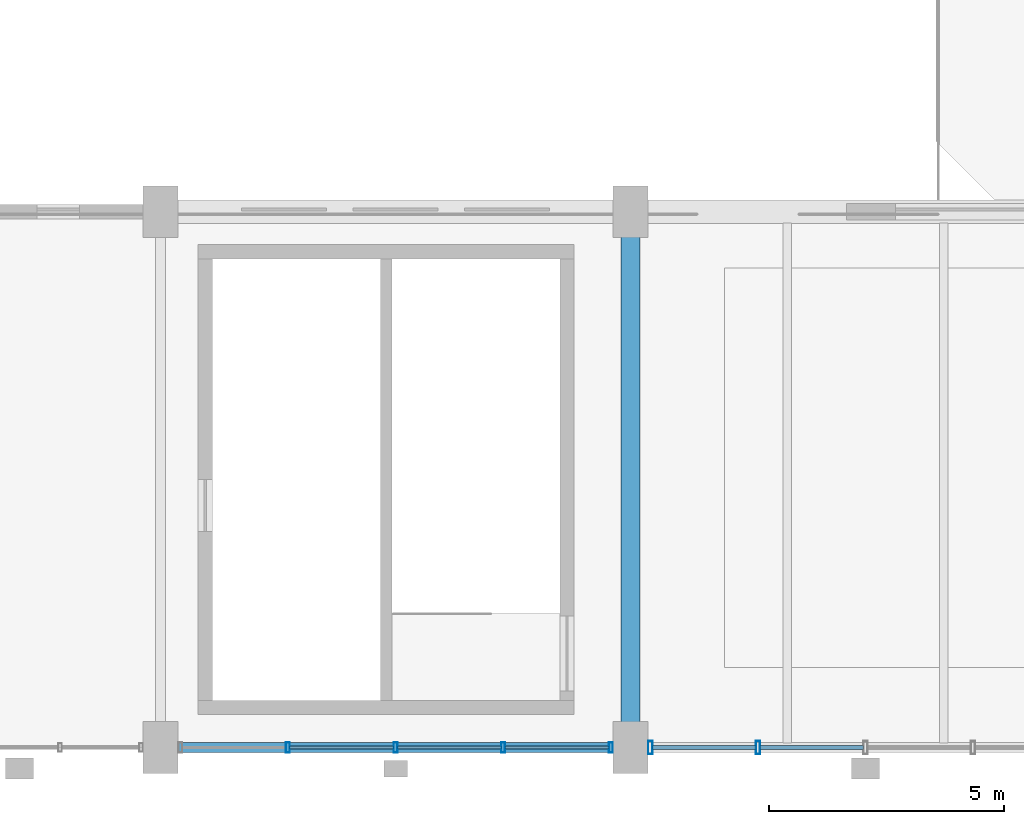
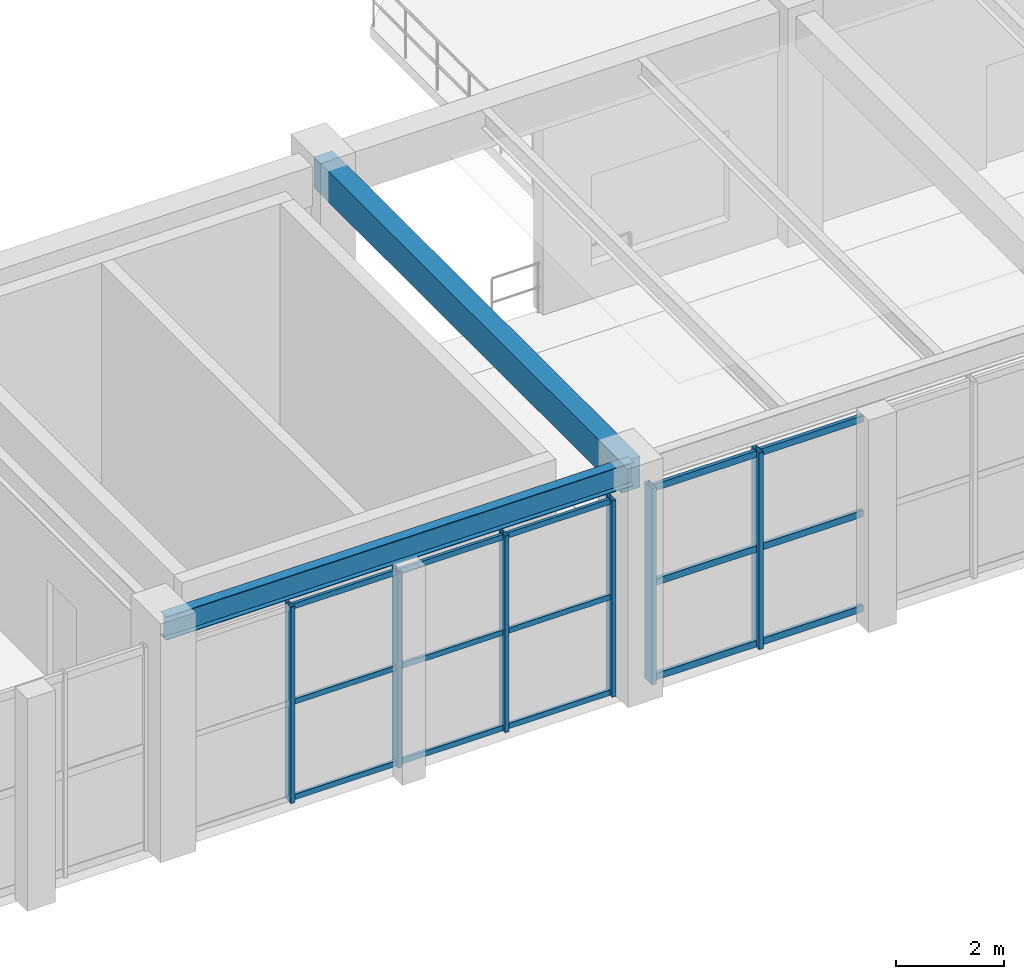
# One storey, part 20 of 106: 21 members, 2 beams, 2 elements without a shape of their own.
"""IFC4 building model written with IfcOpenShell, lengths in metres."""

import ifcopenshell
import ifcopenshell.guid

model = None  # the IFC model being written
_history = None  # IfcOwnerHistory: only IFC2X3 demands one
_inside = {}  # id of a spatial element -> (the spatial element, [elements in it])
_under = {}  # id of a project, library or spatial element -> (it, [spatial elements below it])
_declared = {}  # id of a project -> (the project, [libraries it declares])
_typed = {}  # id of a type object -> (the type object, [elements of that type])
_made_of = {}  # id of a material, layer set ... -> (it, [elements and type objects made of it])


def new_model(schema):
    """Start an empty IFC model of exactly this schema.

    Asked for "IFC4X3", IfcOpenShell would pick the latest addendum, in which some entities
    have other attributes; the version numbers below select the first issue.
    IFC2X3 requires an IfcOwnerHistory on every rooted entity: one is made here for all.
    """
    global model, _history
    if schema == "IFC4X3":
        model = ifcopenshell.file(schema_version=(4, 3, 0, 0))
    else:
        model = ifcopenshell.file(schema=schema)
    _inside.clear()
    _under.clear()
    _declared.clear()
    _typed.clear()
    _made_of.clear()
    _history = None
    if model.schema == "IFC2X3":
        org = make("IfcOrganization", Name="unknown")
        user = make(
            "IfcPersonAndOrganization",
            ThePerson=make("IfcPerson", FamilyName="unknown"),
            TheOrganization=org,
        )
        app = make(
            "IfcApplication",
            ApplicationDeveloper=org,
            Version="unknown",
            ApplicationFullName="unknown",
            ApplicationIdentifier="unknown",
        )
        _history = make(
            "IfcOwnerHistory",
            OwningUser=user,
            OwningApplication=app,
            ChangeAction="ADDED",
            CreationDate=0,
        )
    return model


def make(cls, **values):
    """One entity of the class cls with the attributes given. An attribute that is None is left unset."""
    return model.create_entity(
        cls, **{name: value for name, value in values.items() if value is not None}
    )


def rooted(cls, **values):
    """An entity with a GlobalId (a new one), such as an element, a storey or a relation."""
    return make(cls, GlobalId=ifcopenshell.guid.new(), OwnerHistory=_history, **values)


def si_unit(unit_type, name, prefix=None):
    """IfcSIUnit, for example si_unit("LENGTHUNIT", "METRE", prefix="MILLI")."""
    return make("IfcSIUnit", UnitType=unit_type, Prefix=prefix, Name=name)


def assignment(units):
    """IfcUnitAssignment: the units of a project."""
    return None if units is None else make("IfcUnitAssignment", Units=units)


def point(xyz):
    """IfcCartesianPoint."""
    return None if xyz is None else make("IfcCartesianPoint", Coordinates=xyz)


def direction(xyz):
    """IfcDirection."""
    return None if xyz is None else make("IfcDirection", DirectionRatios=xyz)


def frame(location, z_axis=None, x_axis=None):
    """IfcAxis2Placement3D, a coordinate frame: its origin and axes. An axis left out is left unset."""
    return make(
        "IfcAxis2Placement3D",
        Location=point(location),
        Axis=direction(z_axis),
        RefDirection=direction(x_axis),
    )


def frame_2d(location, x_axis=None):
    """IfcAxis2Placement2D, a coordinate frame in the plane: its origin and x axis."""
    return make(
        "IfcAxis2Placement2D", Location=point(location), RefDirection=direction(x_axis)
    )


def origin():
    """The frame at (0, 0, 0) with its axes left unset."""
    return frame((0.0, 0.0, 0.0))


def origin_2d():
    """The frame at (0, 0) in the plane with its x axis left unset."""
    return frame_2d((0.0, 0.0))


def place(relative_to, where):
    """IfcLocalPlacement: puts the frame where relative to a parent placement (None: the world)."""
    return make(
        "IfcLocalPlacement", PlacementRelTo=relative_to, RelativePlacement=where
    )


def context(
    kind, dimensions, precision=None, world=None, true_north=None, identifier=None
):
    """IfcGeometricRepresentationContext, for example the 3D "Model" context."""
    return make(
        "IfcGeometricRepresentationContext",
        ContextIdentifier=identifier,
        ContextType=kind,
        CoordinateSpaceDimension=dimensions,
        Precision=precision,
        WorldCoordinateSystem=world,
        TrueNorth=true_north,
    )


def subcontext(parent, identifier, kind, view, scale=None):
    """IfcGeometricRepresentationSubContext, for example "Body" below "Model"."""
    return make(
        "IfcGeometricRepresentationSubContext",
        ContextIdentifier=identifier,
        ContextType=kind,
        ParentContext=parent,
        TargetScale=scale,
        TargetView=view,
    )


def project(units=None, contexts=None):
    """IfcProject with its units and contexts."""
    return rooted(
        "IfcProject",
        Name="project",
        RepresentationContexts=contexts,
        UnitsInContext=assignment(units),
    )


def spatial(cls, under=None, at=None, **own):
    """A site, building, storey or space (cls), placed at a placement, below another one or the project."""
    s = rooted(cls, ObjectPlacement=at, **own)
    if under is not None:
        _under.setdefault(under.id(), (under, []))[1].append(s)
    return s


def profile(cls, at=None, kind="AREA", **sizes):
    """A parametric profile (cls). Its sizes go by their IFC names, for example OverallWidth=200.0."""
    return make(cls, ProfileType=kind, Position=at, **sizes)


def rectangle(**sizes):
    """IfcRectangleProfileDef."""
    return profile("IfcRectangleProfileDef", **sizes)


def hollow_rectangle(**sizes):
    """IfcRectangleHollowProfileDef."""
    return profile("IfcRectangleHollowProfileDef", **sizes)


def i_section(**sizes):
    """IfcIShapeProfileDef."""
    return profile("IfcIShapeProfileDef", **sizes)


def extrude(swept, where, along, depth):
    """IfcExtrudedAreaSolid: the profile swept, set in the frame where, extruded along a direction by depth."""
    return make(
        "IfcExtrudedAreaSolid",
        SweptArea=swept,
        Position=where,
        ExtrudedDirection=direction(along),
        Depth=depth,
    )


def shape(context_of_items, identifier, shape_type, items):
    """IfcShapeRepresentation: the items that make up one representation, for example the "Body"."""
    return make(
        "IfcShapeRepresentation",
        ContextOfItems=context_of_items,
        RepresentationIdentifier=identifier,
        RepresentationType=shape_type,
        Items=items,
    )


def material(Name=None, Category=None):
    """IfcMaterial."""
    return make("IfcMaterial", Name=Name, Category=Category)


def layer(
    of_material, thickness, ventilated=None, Name=None, Category=None, Priority=None
):
    """IfcMaterialLayer: one layer of a wall or slab, of a material (None: an air gap)."""
    return make(
        "IfcMaterialLayer",
        Material=of_material,
        LayerThickness=thickness,
        IsVentilated=ventilated,
        Name=Name,
        Category=Category,
        Priority=Priority,
    )


def layer_set(layers, Name=None):
    """IfcMaterialLayerSet."""
    return make("IfcMaterialLayerSet", MaterialLayers=layers, LayerSetName=Name)


def material_profile(
    of_material, cross_section, Name=None, Category=None, Priority=None
):
    """IfcMaterialProfile: a cross section and its material."""
    return make(
        "IfcMaterialProfile",
        Name=Name,
        Material=of_material,
        Profile=cross_section,
        Priority=Priority,
        Category=Category,
    )


def profile_set(profiles, Name=None, composite=None):
    """IfcMaterialProfileSet."""
    return make(
        "IfcMaterialProfileSet",
        Name=Name,
        MaterialProfiles=profiles,
        CompositeProfile=composite,
    )


def made_of(thing, what):
    """Note that an element or type object is made of a material, layer set ...; save() writes the relation."""
    if what is not None:
        _made_of.setdefault(what.id(), (what, []))[1].append(thing)
    return thing


def type_object(cls, material=None, **own):
    """A type object (cls), such as IfcWallType, which elements share."""
    return made_of(rooted(cls, **own), material)


def element(
    cls,
    number,
    at=None,
    inside=None,
    cuts=None,
    type_object=None,
    material=None,
    context=None,
    identifier="Body",
    shape_type=None,
    held_by="IfcProductDefinitionShape",
    body=None,
    shapes=None,
    **own,
):
    """One element of the class cls, such as IfcWall. Its Tag is "e" and its number.

    at: its placement. inside: the storey or other place that contains it. cuts: it is an
    opening in that element (IfcRelVoidsElement). A single representation is given by context,
    identifier, shape_type and body (its items); several are given by shapes. held_by: the class
    of the entity that holds the representations. save() writes the other relations.
    """
    e = rooted(cls, Tag="e%d" % number, ObjectPlacement=at, **own)
    if body is not None:
        shapes = [shape(context, identifier, shape_type, body)]
    if shapes is not None:
        e.Representation = make(held_by, Representations=shapes)
    if inside is not None:
        _inside.setdefault(inside.id(), (inside, []))[1].append(e)
    if cuts is not None:
        rooted(
            "IfcRelVoidsElement", RelatingBuildingElement=cuts, RelatedOpeningElement=e
        )
    if type_object is not None:
        _typed.setdefault(type_object.id(), (type_object, []))[1].append(e)
    return made_of(e, material)


def aggregate(whole, parts):
    """IfcRelAggregates: a whole, such as a stair, and the parts it consists of."""
    return rooted("IfcRelAggregates", RelatingObject=whole, RelatedObjects=parts)


def save(model, path):
    """Write the relations noted so far, then the file.

    IfcRelAggregates (storeys below a building ...), IfcRelContainedInSpatialStructure (elements
    in a storey), IfcRelDefinesByType, IfcRelAssociatesMaterial and IfcRelDeclares: one each for
    every whole, place, type object, material and project.
    """
    for whole, parts in _under.values():
        aggregate(whole, parts)
    for where, things in _inside.values():
        rooted(
            "IfcRelContainedInSpatialStructure",
            RelatedElements=things,
            RelatingStructure=where,
        )
    for kind, things in _typed.values():
        rooted("IfcRelDefinesByType", RelatedObjects=things, RelatingType=kind)
    for what, things in _made_of.values():
        rooted("IfcRelAssociatesMaterial", RelatedObjects=things, RelatingMaterial=what)
    for by, libraries in _declared.values():
        rooted("IfcRelDeclares", RelatingContext=by, RelatedDefinitions=libraries)
    model.write(path)


model = new_model("IFC4")

# Units and contexts
model_context = context("Model", 3, precision=1e-05, world=origin(), true_north=direction((0.0, 1.0)))
body_context = subcontext(model_context, "Body", "Model", "MODEL_VIEW")
ifc_project = project(units=[si_unit("LENGTHUNIT", "METRE"), si_unit("AREAUNIT", "SQUARE_METRE"), si_unit("VOLUMEUNIT", "CUBIC_METRE"), si_unit("PLANEANGLEUNIT", "RADIAN"), si_unit("MASSUNIT", "GRAM", prefix="KILO"), si_unit("POWERUNIT", "WATT"), si_unit("THERMODYNAMICTEMPERATUREUNIT", "KELVIN")], contexts=[model_context])

# Site, building, storey
site_placement = place(None, origin())
site = spatial("IfcSite", under=ifc_project, at=site_placement, CompositionType="ELEMENT")
building_placement = place(site_placement, origin())
building = spatial("IfcBuilding", under=site, at=building_placement, Name="Kelmbourne Parkland Aquatics Centre", CompositionType="ELEMENT")
storey_placement = place(building_placement, frame((0.0, 0.0, 5.39990234375)))
storey = spatial("IfcBuildingStorey", under=building, at=storey_placement, Name="L01", CompositionType="ELEMENT", Elevation=5.39990234375)

# Beams
ifc_material_1 = material(Name="Concrete C40/50", Category="concrete")
ifc_material_profile_1 = material_profile(ifc_material_1, rectangle(XDim=0.39990234375, YDim=0.699951171875, at=origin_2d()), Name="RC 400x700")
ifc_profile_set_1 = profile_set([ifc_material_profile_1], Name="Concrete C40/50")
beam_type_1 = type_object("IfcBeamType", Name="BM-G05", PredefinedType="BEAM", material=ifc_profile_set_1)
beam_1_placement = place(storey_placement, frame((56.0, 0.800048828125, 4.81005859375), z_axis=(0.0, 1.0, 0.0), x_axis=(-1.0, 0.0, 0.0)))
element("IfcBeam", 1, at=beam_1_placement, inside=storey, type_object=beam_type_1, Name="Primary girder 01-03 Grid H (L02_FOY)", PredefinedType="BEAM", context=body_context, shape_type="SweptSolid", body=[
    extrude(rectangle(XDim=0.39990234375, YDim=0.699951171875, at=origin_2d()), origin(), (0.0, 0.0, 1.0), 11.39990234375),
])
ifc_material_2 = material(Name="Structural steel AS/NZS 3679.1 Grade 300", Category="steel")
ifc_material_profile_2 = material_profile(ifc_material_2, i_section(OverallWidth=0.208984375, OverallDepth=0.532958984375, WebThickness=0.01025390625, FlangeThickness=0.015625, at=origin_2d()), Name="530UB92.4")
ifc_profile_set_2 = profile_set([ifc_material_profile_2], Name="Structural steel AS/NZS 3679.1 Grade 300")
beam_type_2 = type_object("IfcBeamType", Name="BM-SP02", PredefinedType="SPANDREL", material=ifc_profile_set_2)
beam_2_placement = place(storey_placement, frame((46.0, 0.800048828125, 4.8935546875), z_axis=(1.0, 0.0, 0.0), x_axis=(0.0, 1.0, 0.0)))
element("IfcBeam", 2, at=beam_2_placement, inside=storey, type_object=beam_type_2, Name="Perimeter spandrel G-H Grid 01 (L02_FOY)", PredefinedType="SPANDREL", context=body_context, shape_type="SweptSolid", body=[
    extrude(i_section(OverallWidth=0.208984375, OverallDepth=0.532958984375, WebThickness=0.01025390625, FlangeThickness=0.015625, at=origin_2d()), origin(), (0.0, 0.0, 1.0), 10.0),
])

# Curtain wall, members
ifc_material_3 = material(Name="Thermally broken anodised aluminium framing", Category="aluminium")
ifc_layer_1 = layer(ifc_material_3, 0.179931640625)
ifc_layer_set_1 = layer_set([ifc_layer_1], Name="Thermally broken anodised aluminium framing")
curtain_wall_type_1 = type_object("IfcCurtainWallType", Name="CW-18", PredefinedType="NOTDEFINED", material=ifc_layer_set_1)
curtain_wall_1_placement = place(storey_placement, origin())
curtain_wall_1 = element("IfcCurtainWall", 3, at=curtain_wall_1_placement, inside=storey, type_object=curtain_wall_type_1, Name="Facade curtain wall CW-L01-162", PredefinedType="NOTDEFINED")
ifc_material_profile_3 = material_profile(ifc_material_3, hollow_rectangle(XDim=0.0849609375, YDim=0.219970703125, WallThickness=0.0048828125, at=origin_2d()), Name="CW-M 85x220")
ifc_profile_set_3 = profile_set([ifc_material_profile_3], Name="Thermally broken anodised aluminium framing")
member_type_1 = type_object("IfcMemberType", Name="MB-MUL-3", PredefinedType="MULLION", material=ifc_profile_set_3)
member_1_placement = place(storey_placement, frame((48.709716796875, 0.800048828125, 0.0), z_axis=(0.0, 0.0, 1.0), x_axis=(1.0, 0.0, 0.0)))
member_1 = element("IfcMember", 4, at=member_1_placement, type_object=member_type_1, Name="CW-L01-162 mullion 1", PredefinedType="MULLION", context=body_context, shape_type="SweptSolid", body=[
    extrude(hollow_rectangle(XDim=0.0849609375, YDim=0.219970703125, WallThickness=0.0048828125, at=origin_2d()), origin(), (0.0, 0.0, 1.0), 4.445068359375),
])
member_2_placement = place(storey_placement, frame((51.0, 0.800048828125, 0.0), z_axis=(0.0, 0.0, 1.0), x_axis=(1.0, 0.0, 0.0)))
member_2 = element("IfcMember", 5, at=member_2_placement, type_object=member_type_1, Name="CW-L01-162 mullion 2", PredefinedType="MULLION", context=body_context, shape_type="SweptSolid", body=[
    extrude(hollow_rectangle(XDim=0.0849609375, YDim=0.219970703125, WallThickness=0.0048828125, at=origin_2d()), origin(), (0.0, 0.0, 1.0), 4.445068359375),
])
member_3_placement = place(storey_placement, frame((53.290283203125, 0.800048828125, 0.0), z_axis=(0.0, 0.0, 1.0), x_axis=(1.0, 0.0, 0.0)))
member_3 = element("IfcMember", 6, at=member_3_placement, type_object=member_type_1, Name="CW-L01-162 mullion 3", PredefinedType="MULLION", context=body_context, shape_type="SweptSolid", body=[
    extrude(hollow_rectangle(XDim=0.0849609375, YDim=0.219970703125, WallThickness=0.0048828125, at=origin_2d()), origin(), (0.0, 0.0, 1.0), 4.445068359375),
])
member_4_placement = place(storey_placement, frame((55.58056640625, 0.800048828125, 0.0), z_axis=(0.0, 0.0, 1.0), x_axis=(1.0, 0.0, 0.0)))
member_4 = element("IfcMember", 7, at=member_4_placement, type_object=member_type_1, Name="CW-L01-162 mullion 4", PredefinedType="MULLION", context=body_context, shape_type="SweptSolid", body=[
    extrude(hollow_rectangle(XDim=0.0849609375, YDim=0.219970703125, WallThickness=0.0048828125, at=origin_2d()), origin(), (0.0, 0.0, 1.0), 4.445068359375),
])

ifc_layer_2 = layer(ifc_material_3, 0.179931640625)
ifc_layer_set_2 = layer_set([ifc_layer_2], Name="Thermally broken anodised aluminium framing")
curtain_wall_type_2 = type_object("IfcCurtainWallType", Name="CW-19", PredefinedType="NOTDEFINED", material=ifc_layer_set_2)
curtain_wall_2_placement = place(storey_placement, origin())
curtain_wall_2 = element("IfcCurtainWall", 8, at=curtain_wall_2_placement, inside=storey, type_object=curtain_wall_type_2, Name="Facade curtain wall CW-L01-163", PredefinedType="NOTDEFINED")
ifc_material_profile_4 = material_profile(ifc_material_3, hollow_rectangle(XDim=0.094970703125, YDim=0.280029296875, WallThickness=0.005615234375, at=origin_2d()), Name="CW-M 95x280")
ifc_profile_set_4 = profile_set([ifc_material_profile_4], Name="Thermally broken anodised aluminium framing")
member_type_2 = type_object("IfcMemberType", Name="MB-MUL-4", PredefinedType="MULLION", material=ifc_profile_set_4)
member_5_placement = place(storey_placement, frame((56.424560546875, 0.800048828125, 0.0), z_axis=(0.0, 0.0, 1.0), x_axis=(1.0, 0.0, 0.0)))
member_5 = element("IfcMember", 9, at=member_5_placement, type_object=member_type_2, Name="CW-L01-163 mullion 0", PredefinedType="MULLION", context=body_context, shape_type="SweptSolid", body=[
    extrude(hollow_rectangle(XDim=0.094970703125, YDim=0.280029296875, WallThickness=0.005615234375, at=origin_2d()), origin(), (0.0, 0.0, 1.0), 4.445068359375),
])
member_6_placement = place(storey_placement, frame((58.71240234375, 0.800048828125, 0.0), z_axis=(0.0, 0.0, 1.0), x_axis=(1.0, 0.0, 0.0)))
member_6 = element("IfcMember", 10, at=member_6_placement, type_object=member_type_2, Name="CW-L01-163 mullion 1", PredefinedType="MULLION", context=body_context, shape_type="SweptSolid", body=[
    extrude(hollow_rectangle(XDim=0.094970703125, YDim=0.280029296875, WallThickness=0.005615234375, at=origin_2d()), origin(), (0.0, 0.0, 1.0), 4.445068359375),
])

# Member
ifc_material_profile_5 = material_profile(ifc_material_3, hollow_rectangle(XDim=0.06494140625, YDim=0.1201171875, WallThickness=0.00341796875, at=origin_2d()), Name="CW-T 65x120")
ifc_profile_set_5 = profile_set([ifc_material_profile_5], Name="Thermally broken anodised aluminium framing")
member_type_3 = type_object("IfcMemberType", Name="MB-TRN-1", PredefinedType="USERDEFINED", material=ifc_profile_set_5)
member_7_placement = place(storey_placement, frame((48.748291015625, 0.800048828125, 0.06298828125), z_axis=(1.0, 0.0, 0.0), x_axis=(0.0, 1.0, 0.0)))
member_7 = element("IfcMember", 11, at=member_7_placement, type_object=member_type_3, Name="CW-L01-162 transom 0-1", ObjectType="TRANSOM", PredefinedType="USERDEFINED", context=body_context, shape_type="SweptSolid", body=[
    extrude(hollow_rectangle(XDim=0.06494140625, YDim=0.1201171875, WallThickness=0.00341796875, at=origin_2d()), origin(), (0.0, 0.0, 1.0), 2.213134765625),
])

member_8_placement = place(storey_placement, frame((51.03857421875, 0.800048828125, 0.06298828125), z_axis=(1.0, 0.0, 0.0), x_axis=(0.0, 1.0, 0.0)))
member_8 = element("IfcMember", 12, at=member_8_placement, type_object=member_type_3, Name="CW-L01-162 transom 0-2", ObjectType="TRANSOM", PredefinedType="USERDEFINED", context=body_context, shape_type="SweptSolid", body=[
    extrude(hollow_rectangle(XDim=0.06494140625, YDim=0.1201171875, WallThickness=0.00341796875, at=origin_2d()), origin(), (0.0, 0.0, 1.0), 2.213134765625),
])

member_9_placement = place(storey_placement, frame((53.32861328125, 0.800048828125, 0.06298828125), z_axis=(1.0, 0.0, 0.0), x_axis=(0.0, 1.0, 0.0)))
member_9 = element("IfcMember", 13, at=member_9_placement, type_object=member_type_3, Name="CW-L01-162 transom 0-3", ObjectType="TRANSOM", PredefinedType="USERDEFINED", context=body_context, shape_type="SweptSolid", body=[
    extrude(hollow_rectangle(XDim=0.06494140625, YDim=0.1201171875, WallThickness=0.00341796875, at=origin_2d()), origin(), (0.0, 0.0, 1.0), 2.21337890625),
])

member_10_placement = place(storey_placement, frame((48.748291015625, 0.800048828125, 2.22265625), z_axis=(1.0, 0.0, 0.0), x_axis=(0.0, 1.0, 0.0)))
member_10 = element("IfcMember", 14, at=member_10_placement, type_object=member_type_3, Name="CW-L01-162 transom 1-1", ObjectType="TRANSOM", PredefinedType="USERDEFINED", context=body_context, shape_type="SweptSolid", body=[
    extrude(hollow_rectangle(XDim=0.06494140625, YDim=0.1201171875, WallThickness=0.00341796875, at=origin_2d()), origin(), (0.0, 0.0, 1.0), 2.213134765625),
])

member_11_placement = place(storey_placement, frame((51.03857421875, 0.800048828125, 2.22265625), z_axis=(1.0, 0.0, 0.0), x_axis=(0.0, 1.0, 0.0)))
member_11 = element("IfcMember", 15, at=member_11_placement, type_object=member_type_3, Name="CW-L01-162 transom 1-2", ObjectType="TRANSOM", PredefinedType="USERDEFINED", context=body_context, shape_type="SweptSolid", body=[
    extrude(hollow_rectangle(XDim=0.06494140625, YDim=0.1201171875, WallThickness=0.00341796875, at=origin_2d()), origin(), (0.0, 0.0, 1.0), 2.213134765625),
])

member_12_placement = place(storey_placement, frame((53.32861328125, 0.800048828125, 2.22265625), z_axis=(1.0, 0.0, 0.0), x_axis=(0.0, 1.0, 0.0)))
member_12 = element("IfcMember", 16, at=member_12_placement, type_object=member_type_3, Name="CW-L01-162 transom 1-3", ObjectType="TRANSOM", PredefinedType="USERDEFINED", context=body_context, shape_type="SweptSolid", body=[
    extrude(hollow_rectangle(XDim=0.06494140625, YDim=0.1201171875, WallThickness=0.00341796875, at=origin_2d()), origin(), (0.0, 0.0, 1.0), 2.21337890625),
])

member_13_placement = place(storey_placement, frame((48.748291015625, 0.800048828125, 4.382080078125), z_axis=(1.0, 0.0, 0.0), x_axis=(0.0, 1.0, 0.0)))
member_13 = element("IfcMember", 17, at=member_13_placement, type_object=member_type_3, Name="CW-L01-162 transom 2-1", ObjectType="TRANSOM", PredefinedType="USERDEFINED", context=body_context, shape_type="SweptSolid", body=[
    extrude(hollow_rectangle(XDim=0.06494140625, YDim=0.1201171875, WallThickness=0.00341796875, at=origin_2d()), origin(), (0.0, 0.0, 1.0), 2.213134765625),
])

member_14_placement = place(storey_placement, frame((51.03857421875, 0.800048828125, 4.382080078125), z_axis=(1.0, 0.0, 0.0), x_axis=(0.0, 1.0, 0.0)))
member_14 = element("IfcMember", 18, at=member_14_placement, type_object=member_type_3, Name="CW-L01-162 transom 2-2", ObjectType="TRANSOM", PredefinedType="USERDEFINED", context=body_context, shape_type="SweptSolid", body=[
    extrude(hollow_rectangle(XDim=0.06494140625, YDim=0.1201171875, WallThickness=0.00341796875, at=origin_2d()), origin(), (0.0, 0.0, 1.0), 2.213134765625),
])

member_15_placement = place(storey_placement, frame((53.32861328125, 0.800048828125, 4.382080078125), z_axis=(1.0, 0.0, 0.0), x_axis=(0.0, 1.0, 0.0)))
member_15 = element("IfcMember", 19, at=member_15_placement, type_object=member_type_3, Name="CW-L01-162 transom 2-3", ObjectType="TRANSOM", PredefinedType="USERDEFINED", context=body_context, shape_type="SweptSolid", body=[
    extrude(hollow_rectangle(XDim=0.06494140625, YDim=0.1201171875, WallThickness=0.00341796875, at=origin_2d()), origin(), (0.0, 0.0, 1.0), 2.21337890625),
])

aggregate(curtain_wall_1, [member_1, member_2, member_3, member_4, member_7, member_8, member_9, member_10, member_11, member_12, member_13, member_14, member_15])

ifc_material_profile_6 = material_profile(ifc_material_3, hollow_rectangle(XDim=0.074951171875, YDim=0.14990234375, WallThickness=0.00390625, at=origin_2d()), Name="CW-T 75x150")
ifc_profile_set_6 = profile_set([ifc_material_profile_6], Name="Thermally broken anodised aluminium framing")
member_type_4 = type_object("IfcMemberType", Name="MB-TRN-2", PredefinedType="USERDEFINED", material=ifc_profile_set_6)
member_16_placement = place(storey_placement, frame((56.468017578125, 0.800048828125, 0.078125), z_axis=(1.0, 0.0, 0.0), x_axis=(0.0, 1.0, 0.0)))
member_16 = element("IfcMember", 20, at=member_16_placement, type_object=member_type_4, Name="CW-L01-163 transom 0-0", ObjectType="TRANSOM", PredefinedType="USERDEFINED", context=body_context, shape_type="SweptSolid", body=[
    extrude(hollow_rectangle(XDim=0.074951171875, YDim=0.14990234375, WallThickness=0.00390625, at=origin_2d()), origin(), (0.0, 0.0, 1.0), 2.20068359375),
])

member_17_placement = place(storey_placement, frame((58.755859375, 0.800048828125, 0.078125), z_axis=(1.0, 0.0, 0.0), x_axis=(0.0, 1.0, 0.0)))
member_17 = element("IfcMember", 21, at=member_17_placement, type_object=member_type_4, Name="CW-L01-163 transom 0-1", ObjectType="TRANSOM", PredefinedType="USERDEFINED", context=body_context, shape_type="SweptSolid", body=[
    extrude(hollow_rectangle(XDim=0.074951171875, YDim=0.14990234375, WallThickness=0.00390625, at=origin_2d()), origin(), (0.0, 0.0, 1.0), 2.20068359375),
])

member_18_placement = place(storey_placement, frame((56.468017578125, 0.800048828125, 2.22265625), z_axis=(1.0, 0.0, 0.0), x_axis=(0.0, 1.0, 0.0)))
member_18 = element("IfcMember", 22, at=member_18_placement, type_object=member_type_4, Name="CW-L01-163 transom 1-0", ObjectType="TRANSOM", PredefinedType="USERDEFINED", context=body_context, shape_type="SweptSolid", body=[
    extrude(hollow_rectangle(XDim=0.074951171875, YDim=0.14990234375, WallThickness=0.00390625, at=origin_2d()), origin(), (0.0, 0.0, 1.0), 2.20068359375),
])

member_19_placement = place(storey_placement, frame((58.755859375, 0.800048828125, 2.22265625), z_axis=(1.0, 0.0, 0.0), x_axis=(0.0, 1.0, 0.0)))
member_19 = element("IfcMember", 23, at=member_19_placement, type_object=member_type_4, Name="CW-L01-163 transom 1-1", ObjectType="TRANSOM", PredefinedType="USERDEFINED", context=body_context, shape_type="SweptSolid", body=[
    extrude(hollow_rectangle(XDim=0.074951171875, YDim=0.14990234375, WallThickness=0.00390625, at=origin_2d()), origin(), (0.0, 0.0, 1.0), 2.20068359375),
])

member_20_placement = place(storey_placement, frame((56.468017578125, 0.800048828125, 4.3671875), z_axis=(1.0, 0.0, 0.0), x_axis=(0.0, 1.0, 0.0)))
member_20 = element("IfcMember", 24, at=member_20_placement, type_object=member_type_4, Name="CW-L01-163 transom 2-0", ObjectType="TRANSOM", PredefinedType="USERDEFINED", context=body_context, shape_type="SweptSolid", body=[
    extrude(hollow_rectangle(XDim=0.074951171875, YDim=0.14990234375, WallThickness=0.00390625, at=origin_2d()), origin(), (0.0, 0.0, 1.0), 2.20068359375),
])

member_21_placement = place(storey_placement, frame((58.755859375, 0.800048828125, 4.3671875), z_axis=(1.0, 0.0, 0.0), x_axis=(0.0, 1.0, 0.0)))
member_21 = element("IfcMember", 25, at=member_21_placement, type_object=member_type_4, Name="CW-L01-163 transom 2-1", ObjectType="TRANSOM", PredefinedType="USERDEFINED", context=body_context, shape_type="SweptSolid", body=[
    extrude(hollow_rectangle(XDim=0.074951171875, YDim=0.14990234375, WallThickness=0.00390625, at=origin_2d()), origin(), (0.0, 0.0, 1.0), 2.20068359375),
])

aggregate(curtain_wall_2, [member_5, member_6, member_16, member_17, member_18, member_19, member_20, member_21])

save(model, "model.ifc")
